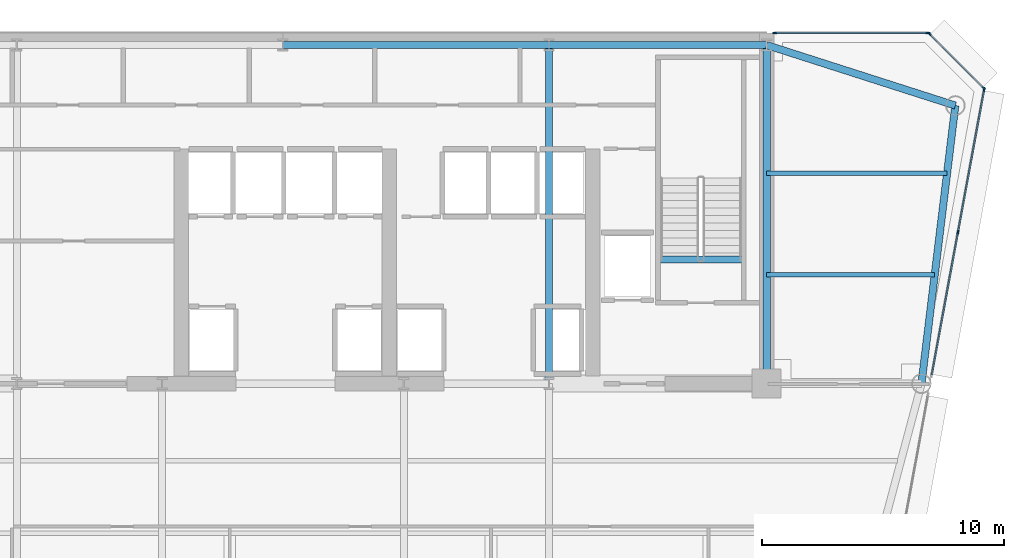
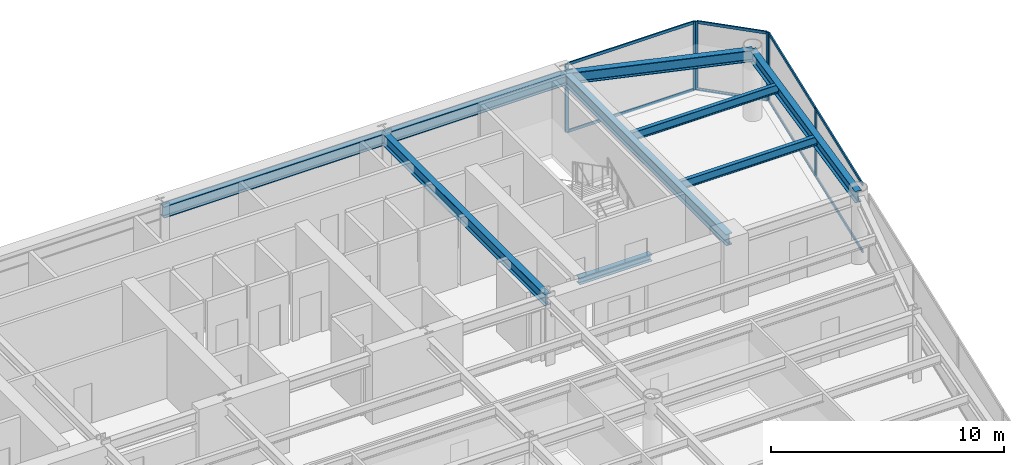
# One storey, part 8 of 16: 14 members, 9 beams, 3 elements without a shape of their own.
"""IFC4 building model written with IfcOpenShell, lengths in metres."""

from ifc_helpers import new_model, si_unit, direction, frame, origin, origin_2d, place, context, subcontext, project, spatial, rectangle, i_section, extrude, source, transform, mapped, material, layer, layer_set, material_profile, profile_set, type_object, element, aggregate, save


model = new_model("IFC4")

# Units and contexts
model_context = context("Model", 3, precision=1e-05, world=origin(), true_north=direction((0.0, 1.0)))
body_context = subcontext(model_context, "Body", "Model", "MODEL_VIEW")
ifc_project = project(units=[si_unit("LENGTHUNIT", "METRE"), si_unit("AREAUNIT", "SQUARE_METRE"), si_unit("VOLUMEUNIT", "CUBIC_METRE"), si_unit("PLANEANGLEUNIT", "RADIAN"), si_unit("MASSUNIT", "GRAM", prefix="KILO")], contexts=[model_context])

# Site, building, storey
site_placement = place(None, origin())
site = spatial("IfcSite", under=ifc_project, at=site_placement, CompositionType="ELEMENT")
building_placement = place(site_placement, origin())
building = spatial("IfcBuilding", under=site, at=building_placement, Name="Vaeldorn Concourse Tower", CompositionType="ELEMENT")
storey_placement = place(building_placement, frame((0.0, 0.0, 188.0)))
storey = spatial("IfcBuildingStorey", under=building, at=storey_placement, Name="L48", CompositionType="ELEMENT", Elevation=188.0)

# Beams
ifc_material_1 = material(Name="Steel S355", Category="steel")
ifc_material_profile_1 = material_profile(ifc_material_1, i_section(OverallWidth=0.300048828125, OverallDepth=0.340087890625, WebThickness=0.011962890625, FlangeThickness=0.021484375, FilletRadius=0.027099609375, at=origin_2d()), Name="HEB 340")
ifc_profile_set_1 = profile_set([ifc_material_profile_1], Name="Steel S355")
beam_type_1 = type_object("IfcBeamType", Name="BM-ST-TRIM", PredefinedType="BEAM", material=ifc_profile_set_1)
shared_shape_1 = source(origin(), body_context, "Body", "SweptSolid", [
    extrude(i_section(OverallWidth=0.300048828125, OverallDepth=0.340087890625, WebThickness=0.011962890625, FlangeThickness=0.021484375, FilletRadius=0.027099609375, at=origin_2d()), origin(), (0.0, 0.0, 1.0), 3.590087890625),
])
beam_1_placement = place(storey_placement, frame((49.47998046875, 41.639892578125, -0.389892578125), z_axis=(1.0, 0.0, 0.0), x_axis=(0.0, 1.0, 0.0)))
element("IfcBeam", 1, at=beam_1_placement, inside=storey, type_object=beam_type_1, Name="Stair Landing Trimmer Beam ST-2 L48", PredefinedType="BEAM", context=body_context, shape_type="MappedRepresentation", body=[
    mapped(shared_shape_1, transform((0.0, 0.0, 0.0), scale=1.0)),
])
ifc_material_profile_2 = material_profile(ifc_material_1, i_section(OverallWidth=0.18994140625, OverallDepth=0.449951171875, WebThickness=0.009521484375, FlangeThickness=0.0146484375, FilletRadius=0.02099609375, at=origin_2d()), Name="IPE 450")
ifc_profile_set_2 = profile_set([ifc_material_profile_2], Name="Steel S355")
beam_type_2 = type_object("IfcBeamType", Name="BM-JS-IPE450", PredefinedType="JOIST", material=ifc_profile_set_2)
shared_shape_2 = source(origin(), body_context, "Body", "SweptSolid", [
    extrude(i_section(OverallWidth=0.18994140625, OverallDepth=0.449951171875, WebThickness=0.009521484375, FlangeThickness=0.0146484375, FilletRadius=0.02099609375, at=origin_2d()), origin(), (0.0, 0.0, 1.0), 6.94775390625),
])
beam_2_placement = place(storey_placement, frame((54.0, 41.0, 3.35498046875), z_axis=(1.0, 0.0, 0.0), x_axis=(0.0, 1.0, 0.0)))
element("IfcBeam", 2, at=beam_2_placement, inside=storey, type_object=beam_type_2, Name="Beam JS-L48-NE-410", PredefinedType="JOIST", context=body_context, shape_type="MappedRepresentation", body=[
    mapped(shared_shape_2, transform((0.0, 0.0, 0.0), scale=1.0)),
])
shared_shape_3 = source(origin(), body_context, "Body", "SweptSolid", [
    extrude(i_section(OverallWidth=0.18994140625, OverallDepth=0.449951171875, WebThickness=0.009521484375, FlangeThickness=0.0146484375, FilletRadius=0.02099609375, at=origin_2d()), origin(), (0.0, 0.0, 1.0), 7.458984375),
])
beam_3_placement = place(storey_placement, frame((54.0, 45.199951171875, 3.35498046875), z_axis=(1.0, 0.0, 0.0), x_axis=(0.0, 1.0, 0.0)))
element("IfcBeam", 3, at=beam_3_placement, inside=storey, type_object=beam_type_2, Name="Beam JS-L48-NE-452", PredefinedType="JOIST", context=body_context, shape_type="MappedRepresentation", body=[
    mapped(shared_shape_3, transform((0.0, 0.0, 0.0), scale=1.0)),
])
ifc_material_profile_3 = material_profile(ifc_material_1, i_section(OverallWidth=0.300048828125, OverallDepth=0.60009765625, WebThickness=0.015380859375, FlangeThickness=0.030029296875, FilletRadius=0.027099609375, at=origin_2d()), Name="HEB 600")
ifc_profile_set_3 = profile_set([ifc_material_profile_3], Name="Steel S355")
beam_type_3 = type_object("IfcBeamType", Name="BM-PG-HEB600", PredefinedType="BEAM", material=ifc_profile_set_3)
shared_shape_4 = source(origin(), body_context, "Body", "SweptSolid", [
    extrude(i_section(OverallWidth=0.300048828125, OverallDepth=0.60009765625, WebThickness=0.015380859375, FlangeThickness=0.030029296875, FilletRadius=0.027099609375, at=origin_2d()), origin(), (0.0, 0.0, 1.0), 9.0),
])
beam_4_placement = place(storey_placement, frame((45.0, 50.5, 3.280029296875), z_axis=(1.0, 0.0, 0.0), x_axis=(0.0, 1.0, 0.0)))
element("IfcBeam", 4, at=beam_4_placement, inside=storey, type_object=beam_type_3, Name="Beam BM-L48-C-HC4-C-HC5", PredefinedType="BEAM", context=body_context, shape_type="MappedRepresentation", body=[
    mapped(shared_shape_4, transform((0.0, 0.0, 0.0), scale=1.0)),
])
shared_shape_5 = source(origin(), body_context, "Body", "SweptSolid", [
    extrude(i_section(OverallWidth=0.300048828125, OverallDepth=0.60009765625, WebThickness=0.015380859375, FlangeThickness=0.030029296875, FilletRadius=0.027099609375, at=origin_2d()), origin(), (0.0, 0.0, 1.0), 11.0),
])
beam_5_placement = place(storey_placement, frame((34.0, 50.5, 3.280029296875), z_axis=(1.0, 0.0, 0.0), x_axis=(0.0, 1.0, 0.0)))
element("IfcBeam", 5, at=beam_5_placement, inside=storey, type_object=beam_type_3, Name="Beam BM-L48-C-HC3-C-HC4", PredefinedType="BEAM", context=body_context, shape_type="MappedRepresentation", body=[
    mapped(shared_shape_5, transform((0.0, 0.0, 0.0), scale=1.0)),
])
shared_shape_6 = source(origin(), body_context, "Body", "SweptSolid", [
    extrude(i_section(OverallWidth=0.300048828125, OverallDepth=0.60009765625, WebThickness=0.015380859375, FlangeThickness=0.030029296875, FilletRadius=0.027099609375, at=origin_2d()), origin(), (0.0, 0.0, 1.0), 14.0),
])
for number, where, z_axis, x_axis, name in (
    (6, (45.0, 36.5, 3.280029296875), (0.0, 1.0, 0.0), (-1.0, 0.0, 0.0), "Beam BM-L48-C-FC5-C-HC4"),
    (7, (54.0, 36.5, 3.280029296875), (0.0, 1.0, 0.0), (-1.0, 0.0, 0.0), "Beam BM-L48-C-FC6-C-HC5"),
):
    element("IfcBeam", number, at=place(storey_placement, frame(where, z_axis=z_axis, x_axis=x_axis)), inside=storey, type_object=beam_type_3, Name=name, PredefinedType="BEAM", context=body_context, shape_type="MappedRepresentation", body=[
        mapped(shared_shape_6, transform((0.0, 0.0, 0.0), scale=1.0)),
    ])
shared_shape_7 = source(origin(), body_context, "Body", "SweptSolid", [
    extrude(i_section(OverallWidth=0.300048828125, OverallDepth=0.60009765625, WebThickness=0.015380859375, FlangeThickness=0.030029296875, FilletRadius=0.027099609375, at=origin_2d()), origin(), (0.0, 0.0, 1.0), 8.19091796875),
])
beam_6_placement = place(storey_placement, frame((54.0, 50.5, 3.280029296875), z_axis=(0.952282843383, -0.305216949396, 0.0), x_axis=(0.305216949396, 0.952282843383, 0.0)))
element("IfcBeam", 8, at=beam_6_placement, inside=storey, type_object=beam_type_3, Name="Beam BM-L48-C-HC5-C-NE1", PredefinedType="BEAM", context=body_context, shape_type="MappedRepresentation", body=[
    mapped(shared_shape_7, transform((0.0, 0.0, 0.0), scale=1.0)),
])
shared_shape_8 = source(origin(), body_context, "Body", "SweptSolid", [
    extrude(i_section(OverallWidth=0.300048828125, OverallDepth=0.60009765625, WebThickness=0.015380859375, FlangeThickness=0.030029296875, FilletRadius=0.027099609375, at=origin_2d()), origin(), (0.0, 0.0, 1.0), 11.5849609375),
])
beam_7_placement = place(storey_placement, frame((61.800048828125, 48.0, 3.280029296875), z_axis=(-0.120859382899, -0.992669637677, 0.0), x_axis=(0.992669637677, -0.120859382899, 0.0)))
element("IfcBeam", 9, at=beam_7_placement, inside=storey, type_object=beam_type_3, Name="Beam BM-L48-C-NE1-C-NE2", PredefinedType="BEAM", context=body_context, shape_type="MappedRepresentation", body=[
    mapped(shared_shape_8, transform((0.0, 0.0, 0.0), scale=1.0)),
])

# Curtain wall, members
ifc_material_2 = material(Name="Anodised Bronze Aluminium", Category="aluminium")
ifc_layer = layer(ifc_material_2, 0.18994140625)
ifc_layer_set = layer_set([ifc_layer], Name="Anodised Bronze Aluminium")
curtain_wall_type = type_object("IfcCurtainWallType", Name="CW-SYS-03", PredefinedType="NOTDEFINED", material=ifc_layer_set)
curtain_wall_1_placement = place(storey_placement, origin())
curtain_wall_1 = element("IfcCurtainWall", 10, at=curtain_wall_1_placement, inside=storey, type_object=curtain_wall_type, Name="Unitised Curtain Wall CW-L48-E08-1", PredefinedType="NOTDEFINED")
ifc_material_profile_4 = material_profile(ifc_material_2, rectangle(XDim=0.06494140625, YDim=0.14990234375, at=origin_2d()), Name="CWT 65x150")
ifc_profile_set_4 = profile_set([ifc_material_profile_4], Name="Anodised Bronze Aluminium")
member_type_1 = type_object("IfcMemberType", Name="CWT-BRONZE-150", PredefinedType="USERDEFINED", material=ifc_profile_set_4)
shared_shape_9 = source(origin(), body_context, "Body", "SweptSolid", [
    extrude(rectangle(XDim=0.06494140625, YDim=0.14990234375, at=origin_2d()), origin(), (0.0, 0.0, 1.0), 3.123046875),
])
member_1_placement = place(storey_placement, frame((62.9541015625, 48.745849609375, 0.032470703125), z_axis=(-0.707106781187, 0.707106781187, 0.0), x_axis=(-0.707106781187, -0.707106781187, 0.0)))
member_1 = element("IfcMember", 11, at=member_1_placement, type_object=member_type_1, Name="CW-03 transom 1.1", ObjectType="TRANSOM", PredefinedType="USERDEFINED", context=body_context, shape_type="MappedRepresentation", body=[
    mapped(shared_shape_9, transform((0.0, 0.0, 0.0), scale=1.0)),
])
member_2_placement = place(storey_placement, frame((62.9541015625, 48.745849609375, 3.547607421875), z_axis=(-0.707106781187, 0.707106781187, 0.0), x_axis=(-0.707106781187, -0.707106781187, 0.0)))
member_2 = element("IfcMember", 12, at=member_2_placement, type_object=member_type_1, Name="CW-03 transom 1.2", ObjectType="TRANSOM", PredefinedType="USERDEFINED", context=body_context, shape_type="MappedRepresentation", body=[
    mapped(shared_shape_9, transform((0.0, 0.0, 0.0), scale=1.0)),
])

curtain_wall_2_placement = place(storey_placement, origin())
curtain_wall_2 = element("IfcCurtainWall", 13, at=curtain_wall_2_placement, inside=storey, type_object=curtain_wall_type, Name="Unitised Curtain Wall CW-L48-E07-2", PredefinedType="NOTDEFINED")
ifc_material_profile_5 = material_profile(ifc_material_2, rectangle(XDim=0.06494140625, YDim=0.169921875, at=origin_2d()), Name="CWM 65x170")
ifc_profile_set_5 = profile_set([ifc_material_profile_5], Name="Anodised Bronze Aluminium")
member_type_2 = type_object("IfcMemberType", Name="CWM-BRONZE-170", PredefinedType="MULLION", material=ifc_profile_set_5)
shared_shape_10 = source(origin(), body_context, "Body", "SweptSolid", [
    extrude(rectangle(XDim=0.06494140625, YDim=0.169921875, at=origin_2d()), origin(), (0.0, 0.0, 1.0), 3.580078125),
])
member_3_placement = place(storey_placement, frame((61.908203125, 42.753662109375, 0.0), z_axis=(0.0, 0.0, 1.0), x_axis=(-0.983559459619, 0.180584576845, 0.0)))
member_3 = element("IfcMember", 14, at=member_3_placement, type_object=member_type_2, Name="CW-03 mullion 2", PredefinedType="MULLION", context=body_context, shape_type="MappedRepresentation", body=[
    mapped(shared_shape_10, transform((0.0, 0.0, 0.0), scale=1.0)),
])
member_4_placement = place(storey_placement, frame((62.994140625, 48.66796875, 0.0), z_axis=(0.0, 0.0, 1.0), x_axis=(-0.983559459619, 0.180584576845, 0.0)))
member_4 = element("IfcMember", 15, at=member_4_placement, type_object=member_type_2, Name="CW-03 mullion 3", PredefinedType="MULLION", context=body_context, shape_type="MappedRepresentation", body=[
    mapped(shared_shape_10, transform((0.0, 0.0, 0.0), scale=1.0)),
])

# Member
member_5_placement = place(storey_placement, frame((62.97705078125, 48.722900390625, 0.0), z_axis=(0.0, 0.0, 1.0), x_axis=(-0.707106781187, -0.707106781187, 0.0)))
member_5 = element("IfcMember", 16, at=member_5_placement, type_object=member_type_2, Name="CW-03 mullion 1", PredefinedType="MULLION", context=body_context, shape_type="MappedRepresentation", body=[
    mapped(shared_shape_10, transform((0.0, 0.0, 0.0), scale=1.0)),
])

member_6_placement = place(storey_placement, frame((60.722900390625, 50.97705078125, 0.0), z_axis=(0.0, 0.0, 1.0), x_axis=(-0.707106781187, -0.707106781187, 0.0)))
member_6 = element("IfcMember", 17, at=member_6_placement, type_object=member_type_2, Name="CW-03 mullion 2", PredefinedType="MULLION", context=body_context, shape_type="MappedRepresentation", body=[
    mapped(shared_shape_10, transform((0.0, 0.0, 0.0), scale=1.0)),
])

aggregate(curtain_wall_1, [member_5, member_6, member_1, member_2])

# Curtain wall, members
curtain_wall_3_placement = place(storey_placement, origin())
curtain_wall_3 = element("IfcCurtainWall", 18, at=curtain_wall_3_placement, inside=storey, type_object=curtain_wall_type, Name="Unitised Curtain Wall CW-L48-E09-1", PredefinedType="NOTDEFINED")
member_7_placement = place(storey_placement, frame((60.66748046875, 51.0, 0.0), z_axis=(0.0, 0.0, 1.0), x_axis=(0.0, -1.0, 0.0)))
member_7 = element("IfcMember", 19, at=member_7_placement, type_object=member_type_2, Name="CW-03 mullion 1", PredefinedType="MULLION", context=body_context, shape_type="MappedRepresentation", body=[
    mapped(shared_shape_10, transform((0.0, 0.0, 0.0), scale=1.0)),
])
member_8_placement = place(storey_placement, frame((54.327392578125, 51.0, 0.0), z_axis=(0.0, 0.0, 1.0), x_axis=(0.0, -1.0, 0.0)))
member_8 = element("IfcMember", 20, at=member_8_placement, type_object=member_type_2, Name="CW-03 mullion 2", PredefinedType="MULLION", context=body_context, shape_type="MappedRepresentation", body=[
    mapped(shared_shape_10, transform((0.0, 0.0, 0.0), scale=1.0)),
])
shared_shape_11 = source(origin(), body_context, "Body", "SweptSolid", [
    extrude(rectangle(XDim=0.06494140625, YDim=0.14990234375, at=origin_2d()), origin(), (0.0, 0.0, 1.0), 6.27490234375),
])
member_9_placement = place(storey_placement, frame((60.635009765625, 51.0, 0.032470703125), z_axis=(-1.0, 0.0, 0.0), x_axis=(0.0, -1.0, 0.0)))
member_9 = element("IfcMember", 21, at=member_9_placement, type_object=member_type_1, Name="CW-03 transom 1.1", ObjectType="TRANSOM", PredefinedType="USERDEFINED", context=body_context, shape_type="MappedRepresentation", body=[
    mapped(shared_shape_11, transform((0.0, 0.0, 0.0), scale=1.0)),
])
member_10_placement = place(storey_placement, frame((60.635009765625, 51.0, 3.547607421875), z_axis=(-1.0, 0.0, 0.0), x_axis=(0.0, -1.0, 0.0)))
member_10 = element("IfcMember", 22, at=member_10_placement, type_object=member_type_1, Name="CW-03 transom 1.2", ObjectType="TRANSOM", PredefinedType="USERDEFINED", context=body_context, shape_type="MappedRepresentation", body=[
    mapped(shared_shape_11, transform((0.0, 0.0, 0.0), scale=1.0)),
])
aggregate(curtain_wall_3, [member_7, member_8, member_9, member_10])

# Member
shared_shape_12 = source(origin(), body_context, "Body", "SweptSolid", [
    extrude(rectangle(XDim=0.06494140625, YDim=0.14990234375, at=origin_2d()), origin(), (0.0, 0.0, 1.0), 5.9482421875),
])
member_11_placement = place(storey_placement, frame((60.828125, 36.871337890625, 0.032470703125), z_axis=(0.180597229094, 0.983557136542, 0.0), x_axis=(-0.983557136542, 0.180597229094, 0.0)))
member_11 = element("IfcMember", 23, at=member_11_placement, type_object=member_type_1, Name="CW-03 transom 1.1", ObjectType="TRANSOM", PredefinedType="USERDEFINED", context=body_context, shape_type="MappedRepresentation", body=[
    mapped(shared_shape_12, transform((0.0, 0.0, 0.0), scale=1.0)),
])

member_12_placement = place(storey_placement, frame((60.828125, 36.871337890625, 3.547607421875), z_axis=(0.180597229094, 0.983557136542, 0.0), x_axis=(-0.983557136542, 0.180597229094, 0.0)))
member_12 = element("IfcMember", 24, at=member_12_placement, type_object=member_type_1, Name="CW-03 transom 1.2", ObjectType="TRANSOM", PredefinedType="USERDEFINED", context=body_context, shape_type="MappedRepresentation", body=[
    mapped(shared_shape_12, transform((0.0, 0.0, 0.0), scale=1.0)),
])

member_13_placement = place(storey_placement, frame((61.9140625, 42.78564453125, 0.032470703125), z_axis=(0.180597229094, 0.983557136542, 0.0), x_axis=(-0.983557136542, 0.180597229094, 0.0)))
member_13 = element("IfcMember", 25, at=member_13_placement, type_object=member_type_1, Name="CW-03 transom 2.1", ObjectType="TRANSOM", PredefinedType="USERDEFINED", context=body_context, shape_type="MappedRepresentation", body=[
    mapped(shared_shape_12, transform((0.0, 0.0, 0.0), scale=1.0)),
])

member_14_placement = place(storey_placement, frame((61.9140625, 42.78564453125, 3.547607421875), z_axis=(0.180597229094, 0.983557136542, 0.0), x_axis=(-0.983557136542, 0.180597229094, 0.0)))
member_14 = element("IfcMember", 26, at=member_14_placement, type_object=member_type_1, Name="CW-03 transom 2.2", ObjectType="TRANSOM", PredefinedType="USERDEFINED", context=body_context, shape_type="MappedRepresentation", body=[
    mapped(shared_shape_12, transform((0.0, 0.0, 0.0), scale=1.0)),
])

aggregate(curtain_wall_2, [member_3, member_4, member_11, member_12, member_13, member_14])

save(model, "model.ifc")
